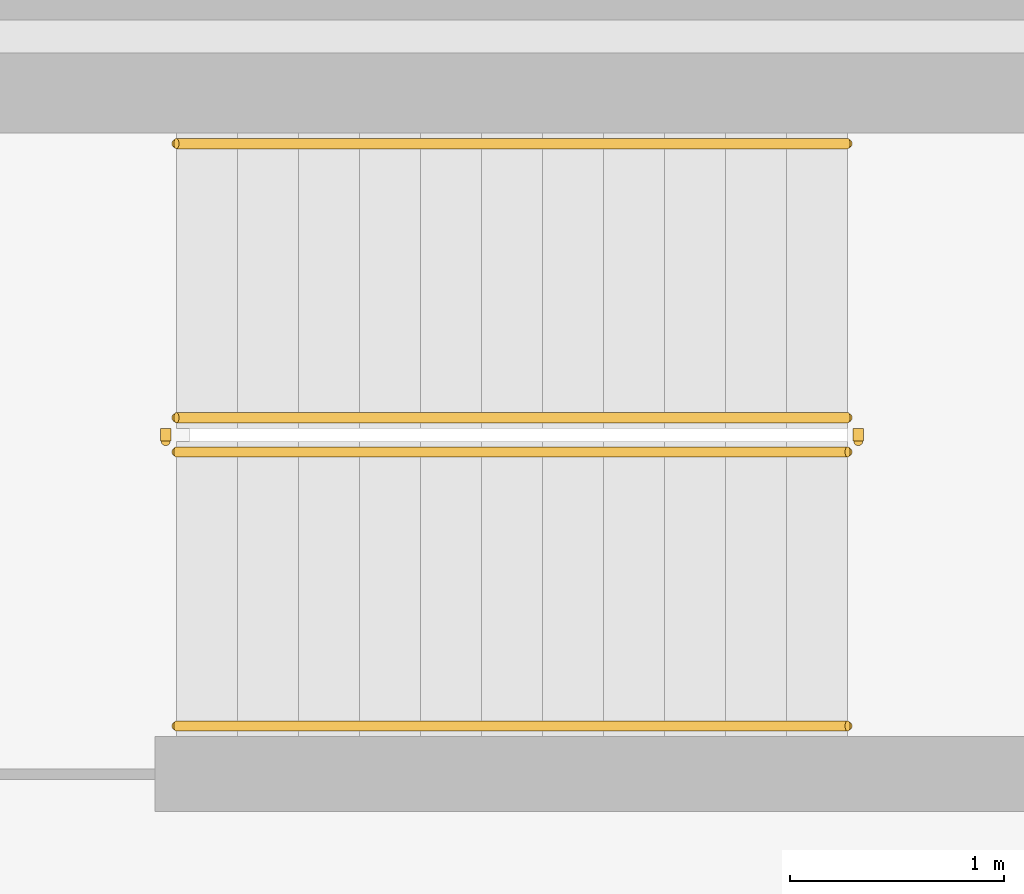
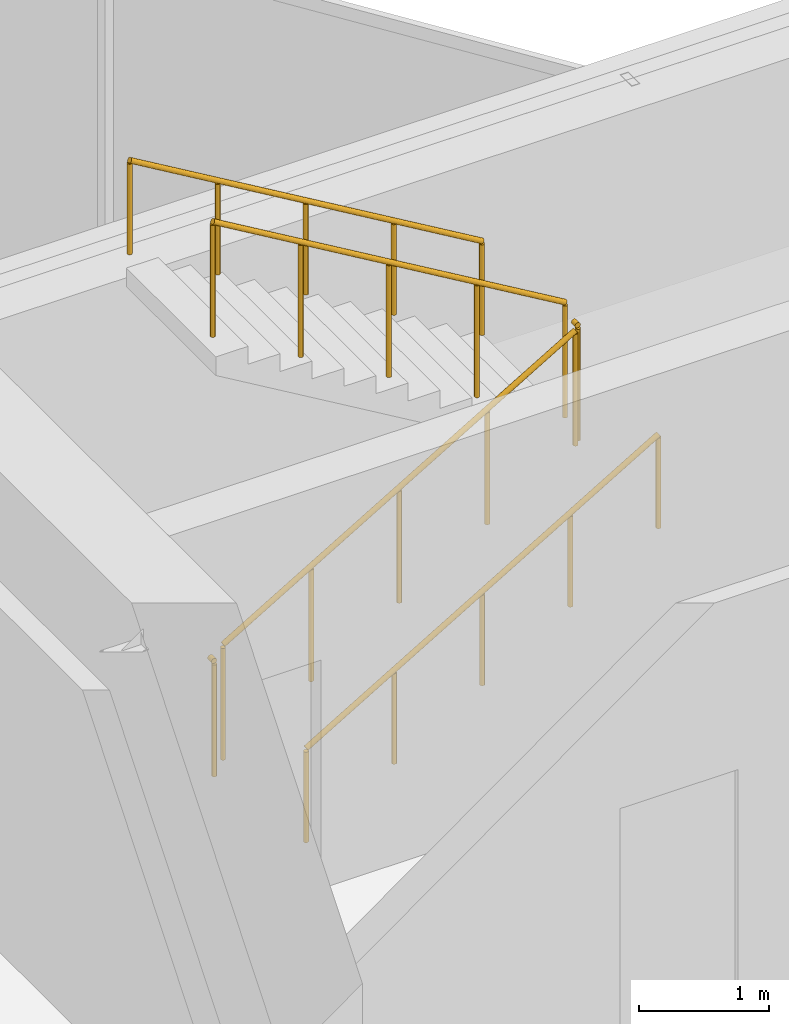
# One storey, part 24 of 24: 6 railings.
"""IFC4 building model written with IfcOpenShell, lengths in metres."""

from ifc_helpers import new_model, si_unit, direction, frame, origin, origin_2d, place, context, subcontext, project, spatial, circle, extrude, material, type_object, element, save


model = new_model("IFC4")

# Units and contexts
model_context = context("Model", 3, precision=1e-05, world=origin(), true_north=direction((0.0, 1.0)))
body_context = subcontext(model_context, "Body", "Model", "MODEL_VIEW")
ifc_project = project(units=[si_unit("LENGTHUNIT", "METRE"), si_unit("AREAUNIT", "SQUARE_METRE"), si_unit("VOLUMEUNIT", "CUBIC_METRE"), si_unit("PLANEANGLEUNIT", "RADIAN"), si_unit("MASSUNIT", "GRAM", prefix="KILO")], contexts=[model_context])

# Site, building, storey
site_placement = place(None, origin())
site = spatial("IfcSite", under=ifc_project, at=site_placement, CompositionType="ELEMENT")
building_placement = place(site_placement, origin())
building = spatial("IfcBuilding", under=site, at=building_placement, Name="Veymaron Broadcast Tower", CompositionType="ELEMENT")
storey_placement = place(building_placement, frame((0.0, 0.0, 220.199951171875)))
storey = spatial("IfcBuildingStorey", under=building, at=storey_placement, Name="L51", CompositionType="ELEMENT", Elevation=220.199951171875)

# Railings
ifc_material_1 = material(Name="Brushed stainless steel AISI 304", Category="steel")
railing_type_1 = type_object("IfcRailingType", Name="RAIL-STAIR-HR", PredefinedType="HANDRAIL", material=ifc_material_1)
railing_1_placement = place(storey_placement, frame((41.429931640625, 28.780029296875, 0.168701171875)))
element("IfcRailing", 1, at=railing_1_placement, inside=storey, type_object=railing_type_1, Name="L51 ST1 stair handrail 1", PredefinedType="HANDRAIL", context=body_context, shape_type="SweptSolid", body=[
    extrude(circle(Radius=0.02392578125, at=origin_2d()), frame((0.0, 0.0, 0.8759765625), z_axis=(0.860452582533, 0.0, 0.509530522356), x_axis=(0.0, 1.0, 0.0)), (0.0, 0.0, 1.0), 3.6435546875),
    extrude(circle(Radius=0.02099609375, at=origin_2d()), origin(), (0.0, 0.0, 1.0), 0.851806640625),
    extrude(circle(Radius=0.02099609375, at=origin_2d()), frame((0.78369140625, 0.0, 0.464111328125)), (0.0, 0.0, 1.0), 0.851806640625),
    extrude(circle(Radius=0.02099609375, at=origin_2d()), frame((1.5673828125, 0.0, 0.92822265625)), (0.0, 0.0, 1.0), 0.851806640625),
    extrude(circle(Radius=0.02099609375, at=origin_2d()), frame((2.351318359375, 0.0, 1.392333984375)), (0.0, 0.0, 1.0), 0.851806640625),
    extrude(circle(Radius=0.02099609375, at=origin_2d()), frame((3.135009765625, 0.0, 1.8564453125)), (0.0, 0.0, 1.0), 0.851806640625),
])
railing_2_placement = place(storey_placement, frame((44.56494140625, 31.5, 2.19384765625)))
element("IfcRailing", 2, at=railing_2_placement, inside=storey, type_object=railing_type_1, Name="L51 ST1 stair handrail 2", PredefinedType="HANDRAIL", context=body_context, shape_type="SweptSolid", body=[
    extrude(circle(Radius=0.02392578125, at=origin_2d()), frame((0.0, 0.0, 0.8759765625), z_axis=(-0.860481960309, 0.0, 0.509480908359), x_axis=(0.0, -1.0, 0.0)), (0.0, 0.0, 1.0), 3.643310546875),
    extrude(circle(Radius=0.02099609375, at=origin_2d()), origin(), (0.0, 0.0, 1.0), 0.851806640625),
    extrude(circle(Radius=0.02099609375, at=origin_2d()), frame((-0.78369140625, 0.0, 0.464111328125)), (0.0, 0.0, 1.0), 0.851806640625),
    extrude(circle(Radius=0.02099609375, at=origin_2d()), frame((-1.5673828125, 0.0, 0.92822265625)), (0.0, 0.0, 1.0), 0.851806640625),
    extrude(circle(Radius=0.02099609375, at=origin_2d()), frame((-2.351318359375, 0.0, 1.39208984375)), (0.0, 0.0, 1.0), 0.851806640625),
    extrude(circle(Radius=0.02099609375, at=origin_2d()), frame((-3.135009765625, 0.0, 1.856201171875)), (0.0, 0.0, 1.0), 0.851806640625),
])
ifc_material_2 = material(Name="Painted galvanized steel balustrade", Category="steel")
railing_type_2 = type_object("IfcRailingType", Name="RAIL-WELL-GRD", PredefinedType="GUARDRAIL", material=ifc_material_2)
railing_3_placement = place(storey_placement, frame((41.429931640625, 30.06005859375, 0.168701171875)))
element("IfcRailing", 3, at=railing_3_placement, inside=storey, type_object=railing_type_2, Name="L51 ST1 stair guard 1", PredefinedType="GUARDRAIL", context=body_context, shape_type="SweptSolid", body=[
    extrude(circle(Radius=0.02392578125, at=origin_2d()), frame((0.0, 0.0, 1.076171875), z_axis=(0.860452582533, 0.0, 0.509530522356), x_axis=(0.0, 1.0, 0.0)), (0.0, 0.0, 1.0), 3.6435546875),
    extrude(circle(Radius=0.02099609375, at=origin_2d()), origin(), (0.0, 0.0, 1.0), 1.052001953125),
    extrude(circle(Radius=0.02099609375, at=origin_2d()), frame((0.78369140625, 0.0, 0.464111328125)), (0.0, 0.0, 1.0), 1.052001953125),
    extrude(circle(Radius=0.02099609375, at=origin_2d()), frame((1.5673828125, 0.0, 0.92822265625)), (0.0, 0.0, 1.0), 1.052001953125),
    extrude(circle(Radius=0.02099609375, at=origin_2d()), frame((2.351318359375, 0.0, 1.392333984375)), (0.0, 0.0, 1.0), 1.052001953125),
    extrude(circle(Radius=0.02099609375, at=origin_2d()), frame((3.135009765625, 0.0, 1.8564453125)), (0.0, 0.0, 1.0), 1.052001953125),
])
railing_4_placement = place(storey_placement, frame((44.614990234375, 30.110107421875, 2.025146484375)))
element("IfcRailing", 4, at=railing_4_placement, inside=storey, type_object=railing_type_2, Name="L51 ST1 stair guard 2", PredefinedType="GUARDRAIL", context=body_context, shape_type="SweptSolid", body=[
    extrude(circle(Radius=0.02392578125, at=origin_2d()), frame((0.0, 0.0, 1.076171875), z_axis=(0.0, 1.0, 0.0), x_axis=(-1.0, 0.0, 0.0)), (0.0, 0.0, 1.0), 0.059814453125),
    extrude(circle(Radius=0.02099609375, at=origin_2d()), origin(), (0.0, 0.0, 1.0), 1.052001953125),
])
railing_5_placement = place(storey_placement, frame((44.56494140625, 30.219970703125, 2.19384765625)))
element("IfcRailing", 5, at=railing_5_placement, inside=storey, type_object=railing_type_2, Name="L51 ST1 stair guard 3", PredefinedType="GUARDRAIL", context=body_context, shape_type="SweptSolid", body=[
    extrude(circle(Radius=0.02392578125, at=origin_2d()), frame((0.0, 0.0, 1.076171875), z_axis=(-0.860481960309, 0.0, 0.509480908359), x_axis=(0.0, -1.0, 0.0)), (0.0, 0.0, 1.0), 3.643310546875),
    extrude(circle(Radius=0.02099609375, at=origin_2d()), origin(), (0.0, 0.0, 1.0), 1.052001953125),
    extrude(circle(Radius=0.02099609375, at=origin_2d()), frame((-0.78369140625, 0.0, 0.464111328125)), (0.0, 0.0, 1.0), 1.052001953125),
    extrude(circle(Radius=0.02099609375, at=origin_2d()), frame((-1.5673828125, 0.0, 0.92822265625)), (0.0, 0.0, 1.0), 1.052001953125),
    extrude(circle(Radius=0.02099609375, at=origin_2d()), frame((-2.351318359375, 0.0, 1.39208984375)), (0.0, 0.0, 1.0), 1.052001953125),
    extrude(circle(Radius=0.02099609375, at=origin_2d()), frame((-3.135009765625, 0.0, 1.856201171875)), (0.0, 0.0, 1.0), 1.052001953125),
])
railing_6_placement = place(storey_placement, frame((41.3798828125, 30.110107421875, 0.0)))
element("IfcRailing", 6, at=railing_6_placement, inside=storey, type_object=railing_type_2, Name="L51 ST1 stair guard 4", PredefinedType="GUARDRAIL", context=body_context, shape_type="SweptSolid", body=[
    extrude(circle(Radius=0.02392578125, at=origin_2d()), frame((0.0, 0.0, 1.076171875), z_axis=(0.0, 1.0, 0.0), x_axis=(-1.0, 0.0, 0.0)), (0.0, 0.0, 1.0), 0.059814453125),
    extrude(circle(Radius=0.02099609375, at=origin_2d()), origin(), (0.0, 0.0, 1.0), 1.052001953125),
])

save(model, "model.ifc")
